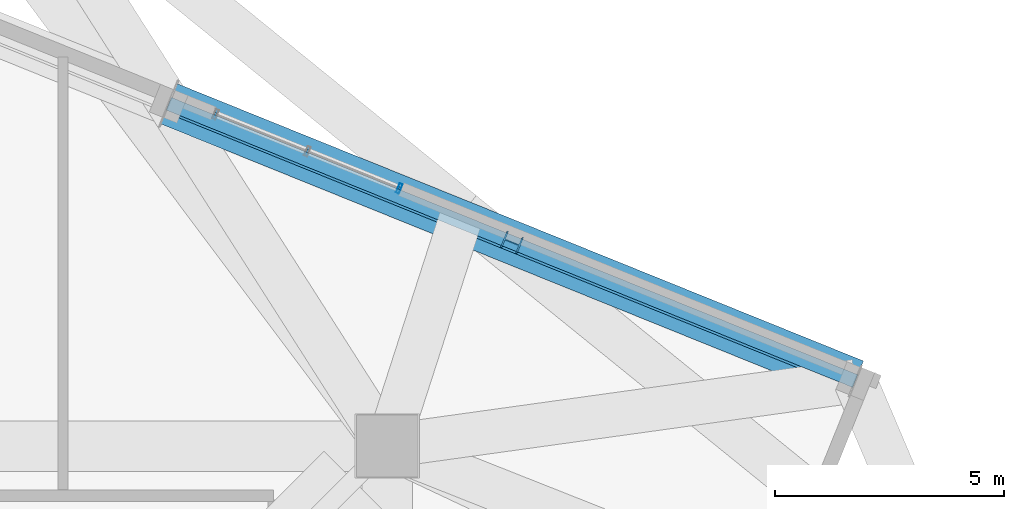
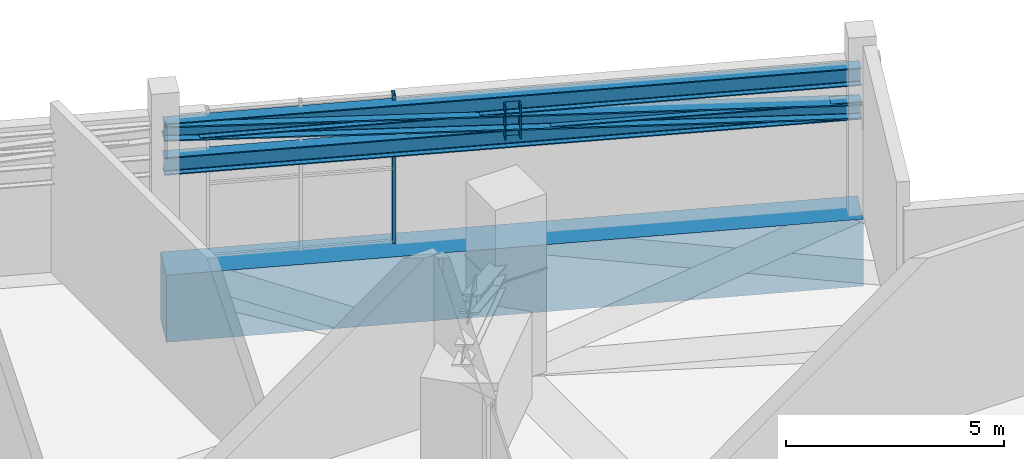
# One storey, part 8 of 20: 5 members, 1 beam, 1 element without a shape of its own.
"""IFC4 building model written with IfcOpenShell, lengths in metres."""

from ifc_helpers import new_model, si_unit, direction, frame, origin, origin_2d, place, context, subcontext, project, spatial, rectangle, hollow_rectangle, i_section, extrude, source, transform, mapped, material, layer, layer_set, material_profile, profile_set, type_object, element, aggregate, save


model = new_model("IFC4")

# Units and contexts
model_context = context("Model", 3, precision=1e-05, world=origin(), true_north=direction((0.0, 1.0)))
body_context = subcontext(model_context, "Body", "Model", "MODEL_VIEW")
ifc_project = project(units=[si_unit("LENGTHUNIT", "METRE"), si_unit("AREAUNIT", "SQUARE_METRE"), si_unit("VOLUMEUNIT", "CUBIC_METRE"), si_unit("PLANEANGLEUNIT", "RADIAN"), si_unit("MASSUNIT", "GRAM", prefix="KILO"), si_unit("THERMODYNAMICTEMPERATUREUNIT", "KELVIN")], contexts=[model_context])

# Site, building, storey
site_placement = place(None, origin())
site = spatial("IfcSite", under=ifc_project, at=site_placement, CompositionType="ELEMENT")
building_placement = place(site_placement, origin())
building = spatial("IfcBuilding", under=site, at=building_placement, Name="Kosmvard Interchange Tower", CompositionType="ELEMENT")
storey_placement = place(building_placement, frame((0.0, 0.0, 260.199951171875)))
storey = spatial("IfcBuildingStorey", under=building, at=storey_placement, Name="L63", CompositionType="ELEMENT", Elevation=260.199951171875)

# Beam
ifc_material_1 = material(Name="Concrete C60/75", Category="concrete")
ifc_material_profile_1 = material_profile(ifc_material_1, rectangle(XDim=0.949951171875, YDim=1.8798828125, at=origin_2d()), Name="TG 950x1880")
ifc_profile_set_1 = profile_set([ifc_material_profile_1], Name="Concrete C60/75")
beam_type = type_object("IfcBeamType", Name="Upper Long-Span Transfer Girder 950x1880 C60/75", PredefinedType="USERDEFINED", material=ifc_profile_set_1)
shared_shape_1 = source(origin(), body_context, "Body", "SweptSolid", [
    extrude(rectangle(XDim=0.949951171875, YDim=1.8798828125, at=origin_2d()), origin(), (0.0, 0.0, 1.0), 16.175048828125),
])
beam_placement = place(storey_placement, frame((23.30419921875, 14.5009765625, -0.93994140625), z_axis=(-0.927183472009, 0.374607540279, 0.0), x_axis=(-0.374607540279, -0.927183472009, 0.0)))
element("IfcBeam", 1, at=beam_placement, inside=storey, type_object=beam_type, Name="BM-L63-PR04", ObjectType="TRANSFER_GIRDER", PredefinedType="USERDEFINED", context=body_context, shape_type="MappedRepresentation", body=[
    mapped(shared_shape_1, transform((0.0, 0.0, 0.0), scale=1.0)),
])

# Members
ifc_material_2 = material(Name="Steel S460", Category="steel")
ifc_material_profile_2 = material_profile(ifc_material_2, i_section(OverallWidth=0.300048828125, OverallDepth=0.5, WebThickness=0.014404296875, FlangeThickness=0.028076171875, FilletRadius=0.027099609375, at=origin_2d()), Name="HEB 500")
ifc_profile_set_2 = profile_set([ifc_material_profile_2], Name="Steel S460")
member_type_1 = type_object("IfcMemberType", Name="Belt Truss Chord HEB 500 S460", PredefinedType="CHORD", material=ifc_profile_set_2)
shared_shape_2 = source(origin(), body_context, "Body", "SweptSolid", [
    extrude(i_section(OverallWidth=0.300048828125, OverallDepth=0.5, WebThickness=0.014404296875, FlangeThickness=0.028076171875, FilletRadius=0.027099609375, at=origin_2d()), origin(), (0.0, 0.0, 1.0), 16.175048828125),
])
for number, where, z_axis, x_axis, name in (
    (2, (23.30419921875, 14.5009765625, 2.820068359375), (-0.927183472009, 0.374607540279, 0.0), (-0.374607540279, -0.927183472009, 0.0), "L63 Belt Truss Bottom Chord E1"),
    (3, (23.30419921875, 14.5009765625, 3.77001953125), (-0.927183472009, 0.374607540279, 0.0), (-0.374607540279, -0.927183472009, 0.0), "L63 Belt Truss Top Chord E1"),
):
    element("IfcMember", number, at=place(storey_placement, frame(where, z_axis=z_axis, x_axis=x_axis)), inside=storey, type_object=member_type_1, Name=name, PredefinedType="CHORD", context=body_context, shape_type="MappedRepresentation", body=[
        mapped(shared_shape_2, transform((0.0, 0.0, 0.0), scale=1.0)),
    ])
ifc_material_profile_3 = material_profile(ifc_material_2, i_section(OverallWidth=0.3759765625, OverallDepth=0.386962890625, WebThickness=0.01953125, FlangeThickness=0.031982421875, FilletRadius=0.014892578125, at=origin_2d()), Name="HD 360x329")
ifc_profile_set_3 = profile_set([ifc_material_profile_3], Name="Steel S460")
member_type_2 = type_object("IfcMemberType", Name="Belt Truss Vertical Post HD 360x329 S460", PredefinedType="STUD", material=ifc_profile_set_3)
shared_shape_3 = source(origin(), body_context, "Body", "SweptSolid", [
    extrude(i_section(OverallWidth=0.3759765625, OverallDepth=0.386962890625, WebThickness=0.01953125, FlangeThickness=0.031982421875, FilletRadius=0.014892578125, at=origin_2d()), origin(), (0.0, 0.0, 1.0), 0.949951171875),
])
member_1_placement = place(storey_placement, frame((15.805419921875, 17.53076171875, 2.820068359375), z_axis=(0.0, 0.0, 1.0), x_axis=(0.374606593416, 0.927183854567, 0.0)))
element("IfcMember", 4, at=member_1_placement, inside=storey, type_object=member_type_2, Name="L63 Belt Truss Post E1", PredefinedType="STUD", context=body_context, shape_type="MappedRepresentation", body=[
    mapped(shared_shape_3, transform((0.0, 0.0, 0.0), scale=1.0)),
])
ifc_material_profile_4 = material_profile(ifc_material_2, i_section(OverallWidth=0.406005859375, OverallDepth=0.416015625, WebThickness=0.021484375, FlangeThickness=0.034912109375, FilletRadius=0.014892578125, at=origin_2d()), Name="HD 400x382")
ifc_profile_set_4 = profile_set([ifc_material_profile_4], Name="Steel S460")
member_type_3 = type_object("IfcMemberType", Name="Perimeter Belt Truss Diagonal HD 400x382 S460", PredefinedType="BRACE", material=ifc_profile_set_4)
shared_shape_4 = source(origin(), body_context, "Body", "SweptSolid", [
    extrude(i_section(OverallWidth=0.406005859375, OverallDepth=0.416015625, WebThickness=0.021484375, FlangeThickness=0.034912109375, FilletRadius=0.014892578125, at=origin_2d()), origin(), (0.0, 0.0, 1.0), 16.202880859375),
])
member_2_placement = place(storey_placement, frame((23.30419921875, 14.5009765625, 2.820068359375), z_axis=(-0.925588617964, 0.373963175524, 0.058628096054), x_axis=(-0.374607540279, -0.927183472009, 0.0)))
element("IfcMember", 5, at=member_2_placement, inside=storey, type_object=member_type_3, Name="L63 Belt Truss Diagonal E1", PredefinedType="BRACE", context=body_context, shape_type="MappedRepresentation", body=[
    mapped(shared_shape_4, transform((0.0, 0.0, 0.0), scale=1.0)),
])

# Curtain wall, member
ifc_material_3 = material(Name="Architectural anodised aluminium", Category="aluminium")
ifc_layer = layer(ifc_material_3, 0.2099609375, Name="Architectural anodised aluminium")
ifc_layer_set = layer_set([ifc_layer], Name="Architectural anodised aluminium")
curtain_wall_type = type_object("IfcCurtainWallType", Name="CW-4 Refuge Transfer Glazed Louvre Wall", PredefinedType="NOTDEFINED", material=ifc_layer_set)
curtain_wall_placement = place(storey_placement, origin())
curtain_wall = element("IfcCurtainWall", 6, at=curtain_wall_placement, inside=storey, type_object=curtain_wall_type, Name="L63 Transfer Louvre Curtain Wall E", PredefinedType="NOTDEFINED")
ifc_material_profile_5 = material_profile(ifc_material_3, hollow_rectangle(XDim=0.219970703125, YDim=0.074951171875, WallThickness=0.0048828125, at=origin_2d()), Name="CWM 220x75x5")
ifc_profile_set_5 = profile_set([ifc_material_profile_5], Name="Architectural anodised aluminium")
member_type_4 = type_object("IfcMemberType", Name="Concourse CW Mullion 220x75 Aluminium", PredefinedType="MULLION", material=ifc_profile_set_5)
shared_shape_5 = source(origin(), body_context, "Body", "SweptSolid", [
    extrude(hollow_rectangle(XDim=0.219970703125, YDim=0.074951171875, WallThickness=0.0048828125, at=origin_2d()), origin(), (0.0, 0.0, 1.0), 4.150146484375),
])
member_3_placement = place(storey_placement, frame((13.342529296875, 18.708984375, 0.0), z_axis=(0.0, 0.0, 1.0), x_axis=(-0.374606588108, -0.927183856711, 0.0)))
member_3 = element("IfcMember", 7, at=member_3_placement, type_object=member_type_4, Name="CW-4 mullion 1", PredefinedType="MULLION", context=body_context, shape_type="MappedRepresentation", body=[
    mapped(shared_shape_5, transform((0.0, 0.0, 0.0), scale=1.0)),
])
aggregate(curtain_wall, [member_3])

save(model, "model.ifc")
